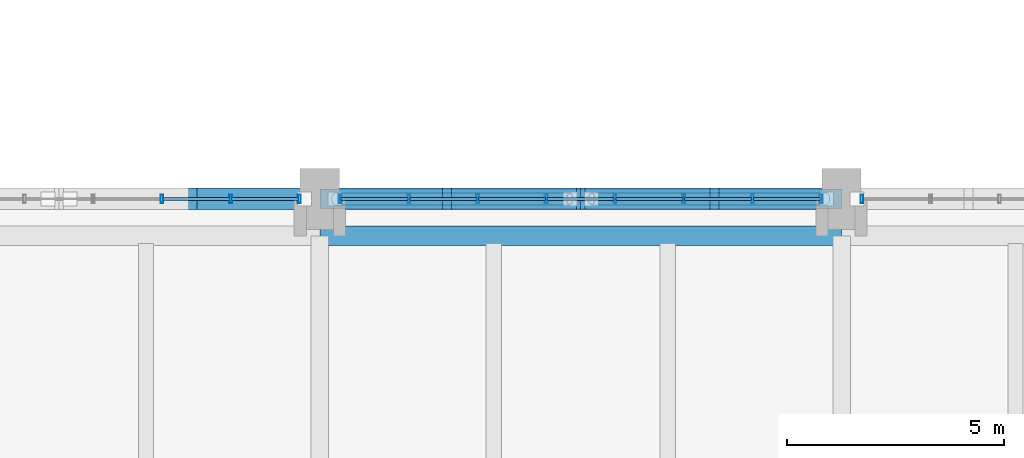
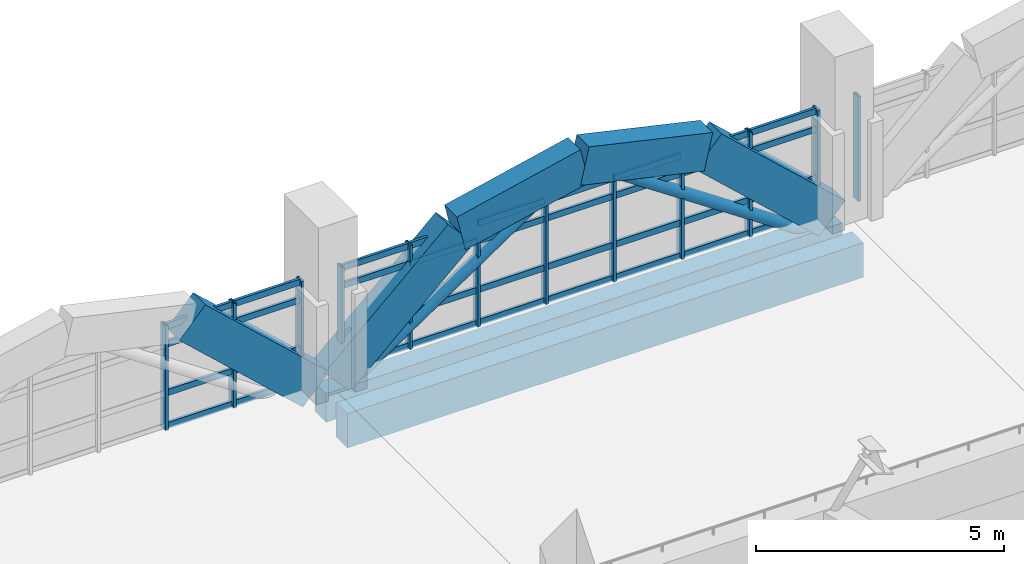
# One storey, part 33 of 161: 50 members, 7 beams, 3 elements without a shape of their own.
"""IFC4 building model written with IfcOpenShell, lengths in metres."""

from ifc_helpers import new_model, si_unit, direction, frame, origin, origin_2d, place, context, subcontext, project, spatial, rectangle, hollow_rectangle, hollow_circle, extrude, material, layer, layer_set, material_profile, profile_set, type_object, element, aggregate, save


model = new_model("IFC4")

# Units and contexts
model_context = context("Model", 3, precision=1e-05, world=origin(), true_north=direction((0.0, 1.0)))
body_context = subcontext(model_context, "Body", "Model", "MODEL_VIEW")
ifc_project = project(units=[si_unit("LENGTHUNIT", "METRE"), si_unit("AREAUNIT", "SQUARE_METRE"), si_unit("VOLUMEUNIT", "CUBIC_METRE"), si_unit("PLANEANGLEUNIT", "RADIAN"), si_unit("MASSUNIT", "GRAM", prefix="KILO")], contexts=[model_context])

# Site, building, storey
site_placement = place(None, origin())
site = spatial("IfcSite", under=ifc_project, at=site_placement, CompositionType="ELEMENT")
building_placement = place(site_placement, origin())
building = spatial("IfcBuilding", under=site, at=building_placement, Name="Mersad Railyard Sports Hall", CompositionType="ELEMENT")
storey_placement = place(building_placement, frame((0.0, 0.0, 4.800048828125)))
storey = spatial("IfcBuildingStorey", under=building, at=storey_placement, Name="L01", CompositionType="ELEMENT", Elevation=4.800048828125)

# Curtain wall, members
ifc_material_1 = material(Name="Aluminium 6063-T6", Category="aluminium")
ifc_layer = layer(ifc_material_1, 0.199951171875)
ifc_layer_set = layer_set([ifc_layer], Name="Aluminium 6063-T6")
curtain_wall_type = type_object("IfcCurtainWallType", Name="ARC-CW-CW02", PredefinedType="USERDEFINED", material=ifc_layer_set)
curtain_wall_1_placement = place(storey_placement, origin())
curtain_wall_1 = element("IfcCurtainWall", 1, at=curtain_wall_1_placement, inside=storey, type_object=curtain_wall_type, Name="Curtain wall CW02-0010", ObjectType="CURTAIN WALL", PredefinedType="USERDEFINED")
ifc_material_profile_1 = material_profile(ifc_material_1, hollow_rectangle(XDim=0.06494140625, YDim=0.199951171875, WallThickness=0.0048828125, at=origin_2d()), Name="AL MULLION 65x200x5")
ifc_profile_set_1 = profile_set([ifc_material_profile_1], Name="Aluminium 6063-T6")
member_type_1 = type_object("IfcMemberType", Name="ARC-CW-MUL02", PredefinedType="MULLION", material=ifc_profile_set_1)
member_1_placement = place(storey_placement, frame((39.3701171875, 53.5, -0.02001953125), z_axis=(0.0, 0.0, 1.0), x_axis=(1.0, 0.0, 0.0)))
member_1 = element("IfcMember", 2, at=member_1_placement, type_object=member_type_1, Name="CW02 Mullion 6", PredefinedType="MULLION", context=body_context, shape_type="SweptSolid", body=[
    extrude(hollow_rectangle(XDim=0.06494140625, YDim=0.199951171875, WallThickness=0.0048828125, at=origin_2d()), origin(), (0.0, 0.0, 1.0), 2.570068359375),
])
member_2_placement = place(storey_placement, frame((40.949951171875, 53.5, -0.02001953125), z_axis=(0.0, 0.0, 1.0), x_axis=(1.0, 0.0, 0.0)))
member_2 = element("IfcMember", 3, at=member_2_placement, type_object=member_type_1, Name="CW02 Mullion 7", PredefinedType="MULLION", context=body_context, shape_type="SweptSolid", body=[
    extrude(hollow_rectangle(XDim=0.06494140625, YDim=0.199951171875, WallThickness=0.0048828125, at=origin_2d()), origin(), (0.0, 0.0, 1.0), 2.570068359375),
])
member_3_placement = place(storey_placement, frame((42.530029296875, 53.5, -0.02001953125), z_axis=(0.0, 0.0, 1.0), x_axis=(1.0, 0.0, 0.0)))
member_3 = element("IfcMember", 4, at=member_3_placement, type_object=member_type_1, Name="CW02 Mullion 8", PredefinedType="MULLION", context=body_context, shape_type="SweptSolid", body=[
    extrude(hollow_rectangle(XDim=0.06494140625, YDim=0.199951171875, WallThickness=0.0048828125, at=origin_2d()), origin(), (0.0, 0.0, 1.0), 2.570068359375),
])

curtain_wall_2_placement = place(storey_placement, origin())
curtain_wall_2 = element("IfcCurtainWall", 5, at=curtain_wall_2_placement, inside=storey, type_object=curtain_wall_type, Name="Curtain wall CW02-0013", ObjectType="CURTAIN WALL", PredefinedType="USERDEFINED")
member_4_placement = place(storey_placement, frame((43.469970703125, 53.5, -0.02001953125), z_axis=(0.0, 0.0, 1.0), x_axis=(1.0, 0.0, 0.0)))
member_4 = element("IfcMember", 6, at=member_4_placement, type_object=member_type_1, Name="CW02 Mullion 1", PredefinedType="MULLION", context=body_context, shape_type="SweptSolid", body=[
    extrude(hollow_rectangle(XDim=0.06494140625, YDim=0.199951171875, WallThickness=0.0048828125, at=origin_2d()), origin(), (0.0, 0.0, 1.0), 2.570068359375),
])
member_5_placement = place(storey_placement, frame((45.050048828125, 53.5, -0.02001953125), z_axis=(0.0, 0.0, 1.0), x_axis=(1.0, 0.0, 0.0)))
member_5 = element("IfcMember", 7, at=member_5_placement, type_object=member_type_1, Name="CW02 Mullion 2", PredefinedType="MULLION", context=body_context, shape_type="SweptSolid", body=[
    extrude(hollow_rectangle(XDim=0.06494140625, YDim=0.199951171875, WallThickness=0.0048828125, at=origin_2d()), origin(), (0.0, 0.0, 1.0), 2.570068359375),
])
member_6_placement = place(storey_placement, frame((46.6298828125, 53.5, -0.02001953125), z_axis=(0.0, 0.0, 1.0), x_axis=(1.0, 0.0, 0.0)))
member_6 = element("IfcMember", 8, at=member_6_placement, type_object=member_type_1, Name="CW02 Mullion 3", PredefinedType="MULLION", context=body_context, shape_type="SweptSolid", body=[
    extrude(hollow_rectangle(XDim=0.06494140625, YDim=0.199951171875, WallThickness=0.0048828125, at=origin_2d()), origin(), (0.0, 0.0, 1.0), 2.570068359375),
])
member_7_placement = place(storey_placement, frame((48.2099609375, 53.5, -0.02001953125), z_axis=(0.0, 0.0, 1.0), x_axis=(1.0, 0.0, 0.0)))
member_7 = element("IfcMember", 9, at=member_7_placement, type_object=member_type_1, Name="CW02 Mullion 4", PredefinedType="MULLION", context=body_context, shape_type="SweptSolid", body=[
    extrude(hollow_rectangle(XDim=0.06494140625, YDim=0.199951171875, WallThickness=0.0048828125, at=origin_2d()), origin(), (0.0, 0.0, 1.0), 2.570068359375),
])
member_8_placement = place(storey_placement, frame((49.7900390625, 53.5, -0.02001953125), z_axis=(0.0, 0.0, 1.0), x_axis=(1.0, 0.0, 0.0)))
member_8 = element("IfcMember", 10, at=member_8_placement, type_object=member_type_1, Name="CW02 Mullion 5", PredefinedType="MULLION", context=body_context, shape_type="SweptSolid", body=[
    extrude(hollow_rectangle(XDim=0.06494140625, YDim=0.199951171875, WallThickness=0.0048828125, at=origin_2d()), origin(), (0.0, 0.0, 1.0), 2.570068359375),
])
member_9_placement = place(storey_placement, frame((51.3701171875, 53.5, -0.02001953125), z_axis=(0.0, 0.0, 1.0), x_axis=(1.0, 0.0, 0.0)))
member_9 = element("IfcMember", 11, at=member_9_placement, type_object=member_type_1, Name="CW02 Mullion 6", PredefinedType="MULLION", context=body_context, shape_type="SweptSolid", body=[
    extrude(hollow_rectangle(XDim=0.06494140625, YDim=0.199951171875, WallThickness=0.0048828125, at=origin_2d()), origin(), (0.0, 0.0, 1.0), 2.570068359375),
])
member_10_placement = place(storey_placement, frame((52.949951171875, 53.5, -0.02001953125), z_axis=(0.0, 0.0, 1.0), x_axis=(1.0, 0.0, 0.0)))
member_10 = element("IfcMember", 12, at=member_10_placement, type_object=member_type_1, Name="CW02 Mullion 7", PredefinedType="MULLION", context=body_context, shape_type="SweptSolid", body=[
    extrude(hollow_rectangle(XDim=0.06494140625, YDim=0.199951171875, WallThickness=0.0048828125, at=origin_2d()), origin(), (0.0, 0.0, 1.0), 2.570068359375),
])
member_11_placement = place(storey_placement, frame((54.530029296875, 53.5, -0.02001953125), z_axis=(0.0, 0.0, 1.0), x_axis=(1.0, 0.0, 0.0)))
member_11 = element("IfcMember", 13, at=member_11_placement, type_object=member_type_1, Name="CW02 Mullion 8", PredefinedType="MULLION", context=body_context, shape_type="SweptSolid", body=[
    extrude(hollow_rectangle(XDim=0.06494140625, YDim=0.199951171875, WallThickness=0.0048828125, at=origin_2d()), origin(), (0.0, 0.0, 1.0), 2.570068359375),
])

# Curtain wall, member
curtain_wall_3_placement = place(storey_placement, origin())
curtain_wall_3 = element("IfcCurtainWall", 14, at=curtain_wall_3_placement, inside=storey, type_object=curtain_wall_type, Name="Curtain wall CW02-0016", ObjectType="CURTAIN WALL", PredefinedType="USERDEFINED")
member_12_placement = place(storey_placement, frame((55.469970703125, 53.5, -0.02001953125), z_axis=(0.0, 0.0, 1.0), x_axis=(1.0, 0.0, 0.0)))
member_12 = element("IfcMember", 15, at=member_12_placement, type_object=member_type_1, Name="CW02 Mullion 1", PredefinedType="MULLION", context=body_context, shape_type="SweptSolid", body=[
    extrude(hollow_rectangle(XDim=0.06494140625, YDim=0.199951171875, WallThickness=0.0048828125, at=origin_2d()), origin(), (0.0, 0.0, 1.0), 2.570068359375),
])
aggregate(curtain_wall_3, [member_12])

# Member
ifc_material_profile_2 = material_profile(ifc_material_1, hollow_rectangle(XDim=0.06494140625, YDim=0.14990234375, WallThickness=0.00439453125, at=origin_2d()), Name="AL TRANSOM 65x150x4.5")
ifc_profile_set_2 = profile_set([ifc_material_profile_2], Name="Aluminium 6063-T6")
member_type_2 = type_object("IfcMemberType", Name="ARC-CW-TRN02", PredefinedType="USERDEFINED", material=ifc_profile_set_2)
member_13_placement = place(storey_placement, frame((39.389892578125, 53.5, 0.0400390625), z_axis=(1.0, 0.0, 0.0), x_axis=(0.0, 1.0, 0.0)))
member_13 = element("IfcMember", 16, at=member_13_placement, type_object=member_type_2, Name="CW02 Transom 1-6", ObjectType="TRANSOM", PredefinedType="USERDEFINED", context=body_context, shape_type="SweptSolid", body=[
    extrude(hollow_rectangle(XDim=0.06494140625, YDim=0.14990234375, WallThickness=0.00439453125, at=origin_2d()), origin(), (0.0, 0.0, 1.0), 1.5400390625),
])

member_14_placement = place(storey_placement, frame((40.969970703125, 53.5, 0.0400390625), z_axis=(1.0, 0.0, 0.0), x_axis=(0.0, 1.0, 0.0)))
member_14 = element("IfcMember", 17, at=member_14_placement, type_object=member_type_2, Name="CW02 Transom 1-7", ObjectType="TRANSOM", PredefinedType="USERDEFINED", context=body_context, shape_type="SweptSolid", body=[
    extrude(hollow_rectangle(XDim=0.06494140625, YDim=0.14990234375, WallThickness=0.00439453125, at=origin_2d()), origin(), (0.0, 0.0, 1.0), 1.5400390625),
])

member_15_placement = place(storey_placement, frame((39.389892578125, 53.5, 0.849853515625), z_axis=(1.0, 0.0, 0.0), x_axis=(0.0, 1.0, 0.0)))
member_15 = element("IfcMember", 18, at=member_15_placement, type_object=member_type_2, Name="CW02 Transom 2-6", ObjectType="TRANSOM", PredefinedType="USERDEFINED", context=body_context, shape_type="SweptSolid", body=[
    extrude(hollow_rectangle(XDim=0.06494140625, YDim=0.14990234375, WallThickness=0.00439453125, at=origin_2d()), origin(), (0.0, 0.0, 1.0), 1.5400390625),
])

member_16_placement = place(storey_placement, frame((40.969970703125, 53.5, 0.849853515625), z_axis=(1.0, 0.0, 0.0), x_axis=(0.0, 1.0, 0.0)))
member_16 = element("IfcMember", 19, at=member_16_placement, type_object=member_type_2, Name="CW02 Transom 2-7", ObjectType="TRANSOM", PredefinedType="USERDEFINED", context=body_context, shape_type="SweptSolid", body=[
    extrude(hollow_rectangle(XDim=0.06494140625, YDim=0.14990234375, WallThickness=0.00439453125, at=origin_2d()), origin(), (0.0, 0.0, 1.0), 1.5400390625),
])

member_17_placement = place(storey_placement, frame((39.389892578125, 53.5, 2.050048828125), z_axis=(1.0, 0.0, 0.0), x_axis=(0.0, 1.0, 0.0)))
member_17 = element("IfcMember", 20, at=member_17_placement, type_object=member_type_2, Name="CW02 Transom 3-6", ObjectType="TRANSOM", PredefinedType="USERDEFINED", context=body_context, shape_type="SweptSolid", body=[
    extrude(hollow_rectangle(XDim=0.06494140625, YDim=0.14990234375, WallThickness=0.00439453125, at=origin_2d()), origin(), (0.0, 0.0, 1.0), 1.5400390625),
])

member_18_placement = place(storey_placement, frame((40.969970703125, 53.5, 2.050048828125), z_axis=(1.0, 0.0, 0.0), x_axis=(0.0, 1.0, 0.0)))
member_18 = element("IfcMember", 21, at=member_18_placement, type_object=member_type_2, Name="CW02 Transom 3-7", ObjectType="TRANSOM", PredefinedType="USERDEFINED", context=body_context, shape_type="SweptSolid", body=[
    extrude(hollow_rectangle(XDim=0.06494140625, YDim=0.14990234375, WallThickness=0.00439453125, at=origin_2d()), origin(), (0.0, 0.0, 1.0), 1.5400390625),
])

member_19_placement = place(storey_placement, frame((39.389892578125, 53.5, 2.489990234375), z_axis=(1.0, 0.0, 0.0), x_axis=(0.0, 1.0, 0.0)))
member_19 = element("IfcMember", 22, at=member_19_placement, type_object=member_type_2, Name="CW02 Transom 4-6", ObjectType="TRANSOM", PredefinedType="USERDEFINED", context=body_context, shape_type="SweptSolid", body=[
    extrude(hollow_rectangle(XDim=0.06494140625, YDim=0.14990234375, WallThickness=0.00439453125, at=origin_2d()), origin(), (0.0, 0.0, 1.0), 1.5400390625),
])

member_20_placement = place(storey_placement, frame((40.969970703125, 53.5, 2.489990234375), z_axis=(1.0, 0.0, 0.0), x_axis=(0.0, 1.0, 0.0)))
member_20 = element("IfcMember", 23, at=member_20_placement, type_object=member_type_2, Name="CW02 Transom 4-7", ObjectType="TRANSOM", PredefinedType="USERDEFINED", context=body_context, shape_type="SweptSolid", body=[
    extrude(hollow_rectangle(XDim=0.06494140625, YDim=0.14990234375, WallThickness=0.00439453125, at=origin_2d()), origin(), (0.0, 0.0, 1.0), 1.5400390625),
])

aggregate(curtain_wall_1, [member_1, member_2, member_3, member_13, member_14, member_15, member_16, member_17, member_18, member_19, member_20])

member_21_placement = place(storey_placement, frame((43.489990234375, 53.5, 0.0400390625), z_axis=(1.0, 0.0, 0.0), x_axis=(0.0, 1.0, 0.0)))
member_21 = element("IfcMember", 24, at=member_21_placement, type_object=member_type_2, Name="CW02 Transom 1-1", ObjectType="TRANSOM", PredefinedType="USERDEFINED", context=body_context, shape_type="SweptSolid", body=[
    extrude(hollow_rectangle(XDim=0.06494140625, YDim=0.14990234375, WallThickness=0.00439453125, at=origin_2d()), origin(), (0.0, 0.0, 1.0), 1.5400390625),
])

member_22_placement = place(storey_placement, frame((45.070068359375, 53.5, 0.0400390625), z_axis=(1.0, 0.0, 0.0), x_axis=(0.0, 1.0, 0.0)))
member_22 = element("IfcMember", 25, at=member_22_placement, type_object=member_type_2, Name="CW02 Transom 1-2", ObjectType="TRANSOM", PredefinedType="USERDEFINED", context=body_context, shape_type="SweptSolid", body=[
    extrude(hollow_rectangle(XDim=0.06494140625, YDim=0.14990234375, WallThickness=0.00439453125, at=origin_2d()), origin(), (0.0, 0.0, 1.0), 1.5400390625),
])

member_23_placement = place(storey_placement, frame((46.64990234375, 53.5, 0.0400390625), z_axis=(1.0, 0.0, 0.0), x_axis=(0.0, 1.0, 0.0)))
member_23 = element("IfcMember", 26, at=member_23_placement, type_object=member_type_2, Name="CW02 Transom 1-3", ObjectType="TRANSOM", PredefinedType="USERDEFINED", context=body_context, shape_type="SweptSolid", body=[
    extrude(hollow_rectangle(XDim=0.06494140625, YDim=0.14990234375, WallThickness=0.00439453125, at=origin_2d()), origin(), (0.0, 0.0, 1.0), 1.5400390625),
])

member_24_placement = place(storey_placement, frame((48.22998046875, 53.5, 0.0400390625), z_axis=(1.0, 0.0, 0.0), x_axis=(0.0, 1.0, 0.0)))
member_24 = element("IfcMember", 27, at=member_24_placement, type_object=member_type_2, Name="CW02 Transom 1-4", ObjectType="TRANSOM", PredefinedType="USERDEFINED", context=body_context, shape_type="SweptSolid", body=[
    extrude(hollow_rectangle(XDim=0.06494140625, YDim=0.14990234375, WallThickness=0.00439453125, at=origin_2d()), origin(), (0.0, 0.0, 1.0), 1.5400390625),
])

member_25_placement = place(storey_placement, frame((49.81005859375, 53.5, 0.0400390625), z_axis=(1.0, 0.0, 0.0), x_axis=(0.0, 1.0, 0.0)))
member_25 = element("IfcMember", 28, at=member_25_placement, type_object=member_type_2, Name="CW02 Transom 1-5", ObjectType="TRANSOM", PredefinedType="USERDEFINED", context=body_context, shape_type="SweptSolid", body=[
    extrude(hollow_rectangle(XDim=0.06494140625, YDim=0.14990234375, WallThickness=0.00439453125, at=origin_2d()), origin(), (0.0, 0.0, 1.0), 1.5400390625),
])

member_26_placement = place(storey_placement, frame((51.389892578125, 53.5, 0.0400390625), z_axis=(1.0, 0.0, 0.0), x_axis=(0.0, 1.0, 0.0)))
member_26 = element("IfcMember", 29, at=member_26_placement, type_object=member_type_2, Name="CW02 Transom 1-6", ObjectType="TRANSOM", PredefinedType="USERDEFINED", context=body_context, shape_type="SweptSolid", body=[
    extrude(hollow_rectangle(XDim=0.06494140625, YDim=0.14990234375, WallThickness=0.00439453125, at=origin_2d()), origin(), (0.0, 0.0, 1.0), 1.5400390625),
])

member_27_placement = place(storey_placement, frame((52.969970703125, 53.5, 0.0400390625), z_axis=(1.0, 0.0, 0.0), x_axis=(0.0, 1.0, 0.0)))
member_27 = element("IfcMember", 30, at=member_27_placement, type_object=member_type_2, Name="CW02 Transom 1-7", ObjectType="TRANSOM", PredefinedType="USERDEFINED", context=body_context, shape_type="SweptSolid", body=[
    extrude(hollow_rectangle(XDim=0.06494140625, YDim=0.14990234375, WallThickness=0.00439453125, at=origin_2d()), origin(), (0.0, 0.0, 1.0), 1.5400390625),
])

member_28_placement = place(storey_placement, frame((43.489990234375, 53.5, 0.849853515625), z_axis=(1.0, 0.0, 0.0), x_axis=(0.0, 1.0, 0.0)))
member_28 = element("IfcMember", 31, at=member_28_placement, type_object=member_type_2, Name="CW02 Transom 2-1", ObjectType="TRANSOM", PredefinedType="USERDEFINED", context=body_context, shape_type="SweptSolid", body=[
    extrude(hollow_rectangle(XDim=0.06494140625, YDim=0.14990234375, WallThickness=0.00439453125, at=origin_2d()), origin(), (0.0, 0.0, 1.0), 1.5400390625),
])

member_29_placement = place(storey_placement, frame((45.070068359375, 53.5, 0.849853515625), z_axis=(1.0, 0.0, 0.0), x_axis=(0.0, 1.0, 0.0)))
member_29 = element("IfcMember", 32, at=member_29_placement, type_object=member_type_2, Name="CW02 Transom 2-2", ObjectType="TRANSOM", PredefinedType="USERDEFINED", context=body_context, shape_type="SweptSolid", body=[
    extrude(hollow_rectangle(XDim=0.06494140625, YDim=0.14990234375, WallThickness=0.00439453125, at=origin_2d()), origin(), (0.0, 0.0, 1.0), 1.5400390625),
])

member_30_placement = place(storey_placement, frame((46.64990234375, 53.5, 0.849853515625), z_axis=(1.0, 0.0, 0.0), x_axis=(0.0, 1.0, 0.0)))
member_30 = element("IfcMember", 33, at=member_30_placement, type_object=member_type_2, Name="CW02 Transom 2-3", ObjectType="TRANSOM", PredefinedType="USERDEFINED", context=body_context, shape_type="SweptSolid", body=[
    extrude(hollow_rectangle(XDim=0.06494140625, YDim=0.14990234375, WallThickness=0.00439453125, at=origin_2d()), origin(), (0.0, 0.0, 1.0), 1.5400390625),
])

member_31_placement = place(storey_placement, frame((48.22998046875, 53.5, 0.849853515625), z_axis=(1.0, 0.0, 0.0), x_axis=(0.0, 1.0, 0.0)))
member_31 = element("IfcMember", 34, at=member_31_placement, type_object=member_type_2, Name="CW02 Transom 2-4", ObjectType="TRANSOM", PredefinedType="USERDEFINED", context=body_context, shape_type="SweptSolid", body=[
    extrude(hollow_rectangle(XDim=0.06494140625, YDim=0.14990234375, WallThickness=0.00439453125, at=origin_2d()), origin(), (0.0, 0.0, 1.0), 1.5400390625),
])

member_32_placement = place(storey_placement, frame((49.81005859375, 53.5, 0.849853515625), z_axis=(1.0, 0.0, 0.0), x_axis=(0.0, 1.0, 0.0)))
member_32 = element("IfcMember", 35, at=member_32_placement, type_object=member_type_2, Name="CW02 Transom 2-5", ObjectType="TRANSOM", PredefinedType="USERDEFINED", context=body_context, shape_type="SweptSolid", body=[
    extrude(hollow_rectangle(XDim=0.06494140625, YDim=0.14990234375, WallThickness=0.00439453125, at=origin_2d()), origin(), (0.0, 0.0, 1.0), 1.5400390625),
])

member_33_placement = place(storey_placement, frame((51.389892578125, 53.5, 0.849853515625), z_axis=(1.0, 0.0, 0.0), x_axis=(0.0, 1.0, 0.0)))
member_33 = element("IfcMember", 36, at=member_33_placement, type_object=member_type_2, Name="CW02 Transom 2-6", ObjectType="TRANSOM", PredefinedType="USERDEFINED", context=body_context, shape_type="SweptSolid", body=[
    extrude(hollow_rectangle(XDim=0.06494140625, YDim=0.14990234375, WallThickness=0.00439453125, at=origin_2d()), origin(), (0.0, 0.0, 1.0), 1.5400390625),
])

member_34_placement = place(storey_placement, frame((52.969970703125, 53.5, 0.849853515625), z_axis=(1.0, 0.0, 0.0), x_axis=(0.0, 1.0, 0.0)))
member_34 = element("IfcMember", 37, at=member_34_placement, type_object=member_type_2, Name="CW02 Transom 2-7", ObjectType="TRANSOM", PredefinedType="USERDEFINED", context=body_context, shape_type="SweptSolid", body=[
    extrude(hollow_rectangle(XDim=0.06494140625, YDim=0.14990234375, WallThickness=0.00439453125, at=origin_2d()), origin(), (0.0, 0.0, 1.0), 1.5400390625),
])

member_35_placement = place(storey_placement, frame((43.489990234375, 53.5, 2.050048828125), z_axis=(1.0, 0.0, 0.0), x_axis=(0.0, 1.0, 0.0)))
member_35 = element("IfcMember", 38, at=member_35_placement, type_object=member_type_2, Name="CW02 Transom 3-1", ObjectType="TRANSOM", PredefinedType="USERDEFINED", context=body_context, shape_type="SweptSolid", body=[
    extrude(hollow_rectangle(XDim=0.06494140625, YDim=0.14990234375, WallThickness=0.00439453125, at=origin_2d()), origin(), (0.0, 0.0, 1.0), 1.5400390625),
])

member_36_placement = place(storey_placement, frame((45.070068359375, 53.5, 2.050048828125), z_axis=(1.0, 0.0, 0.0), x_axis=(0.0, 1.0, 0.0)))
member_36 = element("IfcMember", 39, at=member_36_placement, type_object=member_type_2, Name="CW02 Transom 3-2", ObjectType="TRANSOM", PredefinedType="USERDEFINED", context=body_context, shape_type="SweptSolid", body=[
    extrude(hollow_rectangle(XDim=0.06494140625, YDim=0.14990234375, WallThickness=0.00439453125, at=origin_2d()), origin(), (0.0, 0.0, 1.0), 1.5400390625),
])

member_37_placement = place(storey_placement, frame((46.64990234375, 53.5, 2.050048828125), z_axis=(1.0, 0.0, 0.0), x_axis=(0.0, 1.0, 0.0)))
member_37 = element("IfcMember", 40, at=member_37_placement, type_object=member_type_2, Name="CW02 Transom 3-3", ObjectType="TRANSOM", PredefinedType="USERDEFINED", context=body_context, shape_type="SweptSolid", body=[
    extrude(hollow_rectangle(XDim=0.06494140625, YDim=0.14990234375, WallThickness=0.00439453125, at=origin_2d()), origin(), (0.0, 0.0, 1.0), 1.5400390625),
])

member_38_placement = place(storey_placement, frame((48.22998046875, 53.5, 2.050048828125), z_axis=(1.0, 0.0, 0.0), x_axis=(0.0, 1.0, 0.0)))
member_38 = element("IfcMember", 41, at=member_38_placement, type_object=member_type_2, Name="CW02 Transom 3-4", ObjectType="TRANSOM", PredefinedType="USERDEFINED", context=body_context, shape_type="SweptSolid", body=[
    extrude(hollow_rectangle(XDim=0.06494140625, YDim=0.14990234375, WallThickness=0.00439453125, at=origin_2d()), origin(), (0.0, 0.0, 1.0), 1.5400390625),
])

member_39_placement = place(storey_placement, frame((49.81005859375, 53.5, 2.050048828125), z_axis=(1.0, 0.0, 0.0), x_axis=(0.0, 1.0, 0.0)))
member_39 = element("IfcMember", 42, at=member_39_placement, type_object=member_type_2, Name="CW02 Transom 3-5", ObjectType="TRANSOM", PredefinedType="USERDEFINED", context=body_context, shape_type="SweptSolid", body=[
    extrude(hollow_rectangle(XDim=0.06494140625, YDim=0.14990234375, WallThickness=0.00439453125, at=origin_2d()), origin(), (0.0, 0.0, 1.0), 1.5400390625),
])

member_40_placement = place(storey_placement, frame((51.389892578125, 53.5, 2.050048828125), z_axis=(1.0, 0.0, 0.0), x_axis=(0.0, 1.0, 0.0)))
member_40 = element("IfcMember", 43, at=member_40_placement, type_object=member_type_2, Name="CW02 Transom 3-6", ObjectType="TRANSOM", PredefinedType="USERDEFINED", context=body_context, shape_type="SweptSolid", body=[
    extrude(hollow_rectangle(XDim=0.06494140625, YDim=0.14990234375, WallThickness=0.00439453125, at=origin_2d()), origin(), (0.0, 0.0, 1.0), 1.5400390625),
])

member_41_placement = place(storey_placement, frame((52.969970703125, 53.5, 2.050048828125), z_axis=(1.0, 0.0, 0.0), x_axis=(0.0, 1.0, 0.0)))
member_41 = element("IfcMember", 44, at=member_41_placement, type_object=member_type_2, Name="CW02 Transom 3-7", ObjectType="TRANSOM", PredefinedType="USERDEFINED", context=body_context, shape_type="SweptSolid", body=[
    extrude(hollow_rectangle(XDim=0.06494140625, YDim=0.14990234375, WallThickness=0.00439453125, at=origin_2d()), origin(), (0.0, 0.0, 1.0), 1.5400390625),
])

member_42_placement = place(storey_placement, frame((43.489990234375, 53.5, 2.489990234375), z_axis=(1.0, 0.0, 0.0), x_axis=(0.0, 1.0, 0.0)))
member_42 = element("IfcMember", 45, at=member_42_placement, type_object=member_type_2, Name="CW02 Transom 4-1", ObjectType="TRANSOM", PredefinedType="USERDEFINED", context=body_context, shape_type="SweptSolid", body=[
    extrude(hollow_rectangle(XDim=0.06494140625, YDim=0.14990234375, WallThickness=0.00439453125, at=origin_2d()), origin(), (0.0, 0.0, 1.0), 1.5400390625),
])

member_43_placement = place(storey_placement, frame((45.070068359375, 53.5, 2.489990234375), z_axis=(1.0, 0.0, 0.0), x_axis=(0.0, 1.0, 0.0)))
member_43 = element("IfcMember", 46, at=member_43_placement, type_object=member_type_2, Name="CW02 Transom 4-2", ObjectType="TRANSOM", PredefinedType="USERDEFINED", context=body_context, shape_type="SweptSolid", body=[
    extrude(hollow_rectangle(XDim=0.06494140625, YDim=0.14990234375, WallThickness=0.00439453125, at=origin_2d()), origin(), (0.0, 0.0, 1.0), 1.5400390625),
])

member_44_placement = place(storey_placement, frame((46.64990234375, 53.5, 2.489990234375), z_axis=(1.0, 0.0, 0.0), x_axis=(0.0, 1.0, 0.0)))
member_44 = element("IfcMember", 47, at=member_44_placement, type_object=member_type_2, Name="CW02 Transom 4-3", ObjectType="TRANSOM", PredefinedType="USERDEFINED", context=body_context, shape_type="SweptSolid", body=[
    extrude(hollow_rectangle(XDim=0.06494140625, YDim=0.14990234375, WallThickness=0.00439453125, at=origin_2d()), origin(), (0.0, 0.0, 1.0), 1.5400390625),
])

member_45_placement = place(storey_placement, frame((48.22998046875, 53.5, 2.489990234375), z_axis=(1.0, 0.0, 0.0), x_axis=(0.0, 1.0, 0.0)))
member_45 = element("IfcMember", 48, at=member_45_placement, type_object=member_type_2, Name="CW02 Transom 4-4", ObjectType="TRANSOM", PredefinedType="USERDEFINED", context=body_context, shape_type="SweptSolid", body=[
    extrude(hollow_rectangle(XDim=0.06494140625, YDim=0.14990234375, WallThickness=0.00439453125, at=origin_2d()), origin(), (0.0, 0.0, 1.0), 1.5400390625),
])

member_46_placement = place(storey_placement, frame((49.81005859375, 53.5, 2.489990234375), z_axis=(1.0, 0.0, 0.0), x_axis=(0.0, 1.0, 0.0)))
member_46 = element("IfcMember", 49, at=member_46_placement, type_object=member_type_2, Name="CW02 Transom 4-5", ObjectType="TRANSOM", PredefinedType="USERDEFINED", context=body_context, shape_type="SweptSolid", body=[
    extrude(hollow_rectangle(XDim=0.06494140625, YDim=0.14990234375, WallThickness=0.00439453125, at=origin_2d()), origin(), (0.0, 0.0, 1.0), 1.5400390625),
])

member_47_placement = place(storey_placement, frame((51.389892578125, 53.5, 2.489990234375), z_axis=(1.0, 0.0, 0.0), x_axis=(0.0, 1.0, 0.0)))
member_47 = element("IfcMember", 50, at=member_47_placement, type_object=member_type_2, Name="CW02 Transom 4-6", ObjectType="TRANSOM", PredefinedType="USERDEFINED", context=body_context, shape_type="SweptSolid", body=[
    extrude(hollow_rectangle(XDim=0.06494140625, YDim=0.14990234375, WallThickness=0.00439453125, at=origin_2d()), origin(), (0.0, 0.0, 1.0), 1.5400390625),
])

member_48_placement = place(storey_placement, frame((52.969970703125, 53.5, 2.489990234375), z_axis=(1.0, 0.0, 0.0), x_axis=(0.0, 1.0, 0.0)))
member_48 = element("IfcMember", 51, at=member_48_placement, type_object=member_type_2, Name="CW02 Transom 4-7", ObjectType="TRANSOM", PredefinedType="USERDEFINED", context=body_context, shape_type="SweptSolid", body=[
    extrude(hollow_rectangle(XDim=0.06494140625, YDim=0.14990234375, WallThickness=0.00439453125, at=origin_2d()), origin(), (0.0, 0.0, 1.0), 1.5400390625),
])

aggregate(curtain_wall_2, [member_4, member_5, member_6, member_7, member_8, member_9, member_10, member_11, member_21, member_22, member_23, member_24, member_25, member_26, member_27, member_28, member_29, member_30, member_31, member_32, member_33, member_34, member_35, member_36, member_37, member_38, member_39, member_40, member_41, member_42, member_43, member_44, member_45, member_46, member_47, member_48])

# Beams
ifc_material_2 = material(Name="Concrete C40/50", Category="concrete")
ifc_material_profile_3 = material_profile(ifc_material_2, rectangle(XDim=0.449951171875, YDim=0.85009765625, at=origin_2d()), Name="RC 450x850")
ifc_profile_set_3 = profile_set([ifc_material_profile_3], Name="Concrete C40/50")
beam_type_1 = type_object("IfcBeamType", Name="STR-BM-B02", PredefinedType="BEAM", material=ifc_profile_set_3)
beam_1_placement = place(storey_placement, frame((43.0, 52.64990234375, -0.705078125), z_axis=(1.0, 0.0, 0.0), x_axis=(0.0, 1.0, 0.0)))
element("IfcBeam", 52, at=beam_1_placement, inside=storey, type_object=beam_type_1, Name="Beam B02-0307", PredefinedType="BEAM", context=body_context, shape_type="SweptSolid", body=[
    extrude(rectangle(XDim=0.449951171875, YDim=0.85009765625, at=origin_2d()), origin(), (0.0, 0.0, 1.0), 12.0),
])
ifc_material_3 = material(Name="Architectural concrete C40/50", Category="concrete")
ifc_material_profile_4 = material_profile(ifc_material_3, rectangle(XDim=0.449951171875, YDim=0.699951171875, at=origin_2d()), Name="RC 450x700")
ifc_profile_set_4 = profile_set([ifc_material_profile_4], Name="Architectural concrete C40/50")
beam_type_2 = type_object("IfcBeamType", Name="STR-BM-SP01", PredefinedType="SPANDREL", material=ifc_profile_set_4)
beam_2_placement = place(storey_placement, frame((43.0, 53.5, -0.66015625), z_axis=(1.0, 0.0, 0.0), x_axis=(0.0, 1.0, 0.0)))
element("IfcBeam", 53, at=beam_2_placement, inside=storey, type_object=beam_type_2, Name="Beam SP01-0355", PredefinedType="SPANDREL", context=body_context, shape_type="SweptSolid", body=[
    extrude(rectangle(XDim=0.449951171875, YDim=0.699951171875, at=origin_2d()), origin(), (0.0, 0.0, 1.0), 12.0),
])
ifc_material_4 = material(Name="Architectural concrete C50/60", Category="concrete")
ifc_material_profile_5 = material_profile(ifc_material_4, rectangle(XDim=0.5, YDim=0.89990234375, at=origin_2d()), Name="VR 500x900")
ifc_profile_set_5 = profile_set([ifc_material_profile_5], Name="Architectural concrete C50/60")
beam_type_3 = type_object("IfcBeamType", Name="STR-BM-VR02", PredefinedType="BEAM", material=ifc_profile_set_5)
for number, where, z_axis, x_axis, name in (
    (54, (39.875, 53.5, 2.54736328125), (0.735617187873, 0.0, -0.677397485164), (0.0, 1.0, 0.0), "Beam VR02-0353"),
    (55, (43.25, 53.5, -0.10009765625), (0.735617187873, 0.0, 0.677397485164), (0.0, 1.0, 0.0), "Beam VR02-0357"),
):
    element("IfcBeam", number, at=place(storey_placement, frame(where, z_axis=z_axis, x_axis=x_axis)), inside=storey, type_object=beam_type_3, Name=name, PredefinedType="BEAM", context=body_context, shape_type="SweptSolid", body=[
        extrude(rectangle(XDim=0.5, YDim=0.89990234375, at=origin_2d()), origin(), (0.0, 0.0, 1.0), 3.908203125),
    ])
for number, where, z_axis, x_axis, name in (
    (56, (46.125, 53.5, 2.54736328125), (0.97519301708, 0.0, 0.221356227467), (0.0, 1.0, 0.0), "Beam VR02-0359"),
    (57, (49.0, 53.5, 3.199951171875), (0.97519301708, 0.0, -0.221356227467), (0.0, 1.0, 0.0), "Beam VR02-0361"),
):
    element("IfcBeam", number, at=place(storey_placement, frame(where, z_axis=z_axis, x_axis=x_axis)), inside=storey, type_object=beam_type_3, Name=name, PredefinedType="BEAM", context=body_context, shape_type="SweptSolid", body=[
        extrude(rectangle(XDim=0.5, YDim=0.89990234375, at=origin_2d()), origin(), (0.0, 0.0, 1.0), 2.9482421875),
    ])
beam_3_placement = place(storey_placement, frame((51.875, 53.5, 2.54736328125), z_axis=(0.735617187873, 0.0, -0.677397485164), x_axis=(0.0, 1.0, 0.0)))
element("IfcBeam", 58, at=beam_3_placement, inside=storey, type_object=beam_type_3, Name="Beam VR02-0363", PredefinedType="BEAM", context=body_context, shape_type="SweptSolid", body=[
    extrude(rectangle(XDim=0.5, YDim=0.89990234375, at=origin_2d()), origin(), (0.0, 0.0, 1.0), 3.908203125),
])

# Members
ifc_material_5 = material(Name="Steel S355", Category="steel")
ifc_material_profile_6 = material_profile(ifc_material_5, hollow_circle(Radius=0.136474609375, WallThickness=0.012451171875, at=origin_2d()), Name="CHS 273x12.5")
ifc_profile_set_6 = profile_set([ifc_material_profile_6], Name="Steel S355")
member_type_3 = type_object("IfcMemberType", Name="STR-MEM-BR02", PredefinedType="BRACE", material=ifc_profile_set_6)
for number, where, z_axis, x_axis, name in (
    (59, (43.35009765625, 53.5, -0.6201171875), (0.829190125257, 0.0, 0.558966668215), (0.0, 1.0, 0.0), "Structural member BR02-0015"),
    (60, (54.64990234375, 53.5, -0.6201171875), (-0.829190125257, 0.0, 0.558966668215), (0.0, -1.0, 0.0), "Structural member BR02-0016"),
):
    element("IfcMember", number, at=place(storey_placement, frame(where, z_axis=z_axis, x_axis=x_axis)), inside=storey, type_object=member_type_3, Name=name, PredefinedType="BRACE", context=body_context, shape_type="SweptSolid", body=[
        extrude(hollow_circle(Radius=0.136474609375, WallThickness=0.012451171875, at=origin_2d()), origin(), (0.0, 0.0, 1.0), 6.51220703125),
    ])

save(model, "model.ifc")
